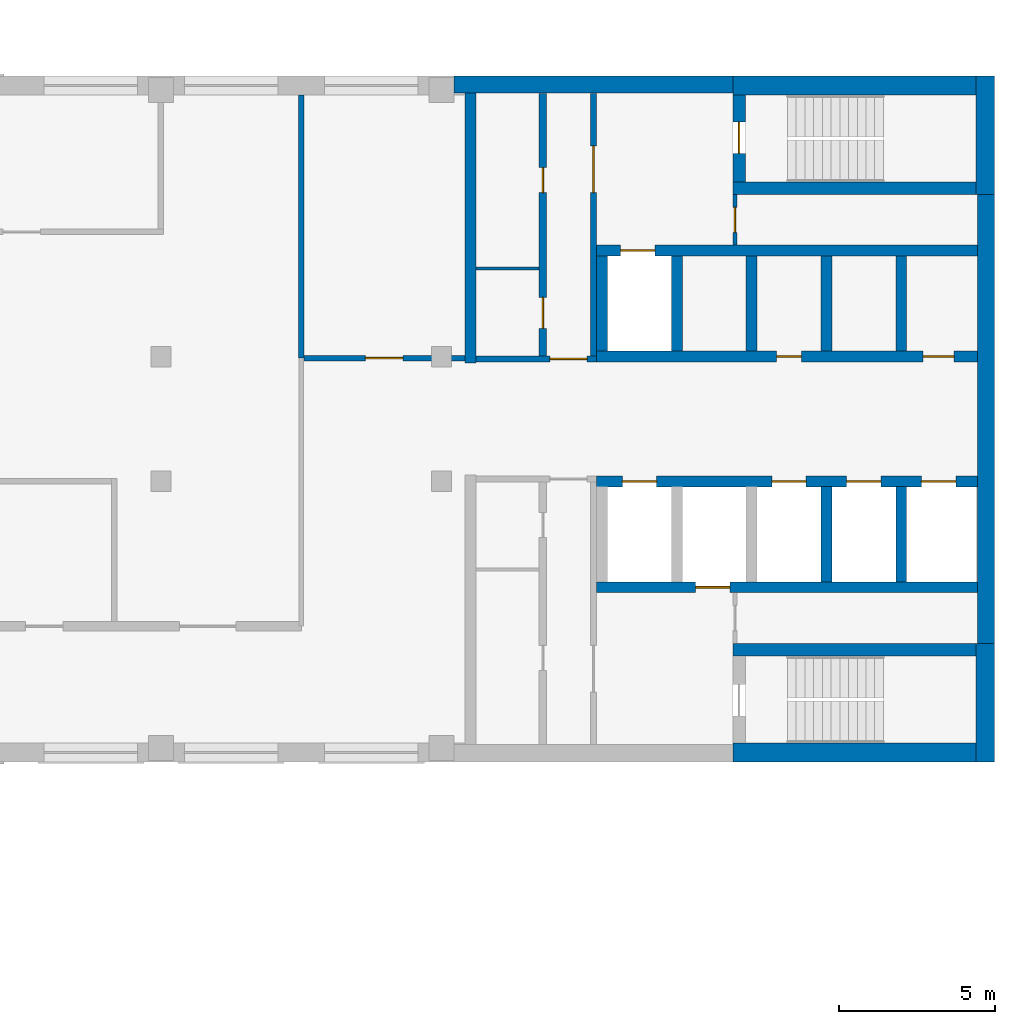
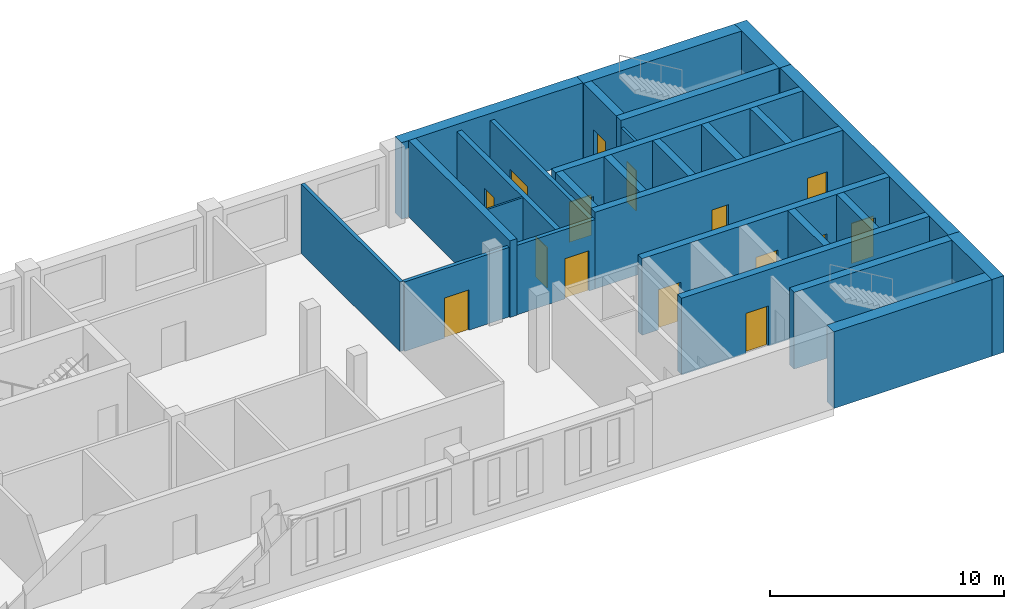
# One storey, part 6 of 10: 28 walls, 15 doors, 15 openings.
"""IFC4 building model written with IfcOpenShell, lengths in metres."""

from ifc_helpers import new_model, si_unit, direction, frame, frame_2d, origin, place, context, subcontext, project, spatial, rectangle, extrude, material, layer, layer_set, type_object, element, fill, save


model = new_model("IFC4")

# Units and contexts
model_context = context("Model", 3, precision=1e-05, world=origin(), true_north=direction((0.0, 1.0)))
body_context = subcontext(model_context, "Body", "Model", "MODEL_VIEW")
ifc_project = project(units=[si_unit("LENGTHUNIT", "METRE"), si_unit("AREAUNIT", "SQUARE_METRE"), si_unit("VOLUMEUNIT", "CUBIC_METRE"), si_unit("PLANEANGLEUNIT", "RADIAN"), si_unit("MASSUNIT", "GRAM", prefix="KILO")], contexts=[model_context])

# Site, building, storey
site_placement = place(None, origin())
site = spatial("IfcSite", under=ifc_project, at=site_placement, CompositionType="ELEMENT")
building_placement = place(site_placement, origin())
building = spatial("IfcBuilding", under=site, at=building_placement, Name="Skarvind Civic Tower", CompositionType="ELEMENT")
storey_placement = place(building_placement, frame((0.0, 0.0, 178.5)))
storey = spatial("IfcBuildingStorey", under=building, at=storey_placement, Name="L42", CompositionType="ELEMENT", Elevation=178.5)

# Wall
ifc_material_1 = material(Name="Acoustic gypsum board on steel studs", Category="steel")
ifc_layer_1 = layer(ifc_material_1, 0.175048828125)
ifc_layer_set_1 = layer_set([ifc_layer_1], Name="ACOUSTIC MEETING-ROOM PARTITION 175")
wall_type_1 = type_object("IfcWallType", Name="ACOUSTIC MEETING-ROOM PARTITION 175", PredefinedType="PARTITIONING", material=ifc_layer_set_1)
wall_1_placement = place(storey_placement, frame((85.75, 129.949951171875, 0.0), z_axis=(0.0, 0.0, 1.0), x_axis=(0.0, 1.0, 0.0)))
element("IfcWall", 1, at=wall_1_placement, inside=storey, type_object=wall_type_1, Name="Partition 42.048", PredefinedType="PARTITIONING", context=body_context, shape_type="SweptSolid", body=[
    extrude(rectangle(XDim=8.449951171875, YDim=0.175048828125, at=frame_2d((4.22509765625, 0.0))), origin(), (0.0, 0.0, 1.0), 3.625),
])

# Wall, opening, door
wall_2_placement = place(storey_placement, frame((85.837890625, 129.949951171875, 0.0), z_axis=(0.0, 0.0, 1.0), x_axis=(1.0, 0.0, 0.0)))
wall_2 = element("IfcWall", 2, at=wall_2_placement, inside=storey, type_object=wall_type_1, Name="Partition 42.049", PredefinedType="PARTITIONING", context=body_context, shape_type="SweptSolid", body=[
    extrude(rectangle(XDim=5.162109375, YDim=0.175048828125, at=frame_2d((2.5810546875, 0.0))), origin(), (0.0, 0.0, 1.0), 3.625),
])
opening_1_placement = place(wall_2_placement, frame((1.970947265625, 0.0, 0.0)))
opening_1 = element("IfcOpeningElement", 3, at=opening_1_placement, cuts=wall_2, Name="Opening L42-D001", PredefinedType="OPENING", context=body_context, shape_type="SweptSolid", body=[
    extrude(rectangle(XDim=1.199951171875, YDim=2.10009765625, at=frame_2d((0.60009765625, 1.050048828125))), frame((0.0, 0.097412109375, 0.0), z_axis=(0.0, -1.0, 0.0), x_axis=(1.0, 0.0, 0.0)), (0.0, 0.0, 1.0), 0.195068359375),
])
ifc_material_2 = material(Name="Timber door leaf", Category="wood")
door_type_1 = type_object("IfcDoorType", Name="DOOR 1200X2100 DOUBLE TIMBER", OperationType="NOTDEFINED", PredefinedType="DOOR", material=ifc_material_2)
door_1_placement = place(opening_1_placement, origin())
door_1 = element("IfcDoor", 4, at=door_1_placement, inside=storey, type_object=door_type_1, Name="Door L42-D001", OperationType="DOUBLE_DOOR_SINGLE_SWING", OverallHeight=2.10009765625, OverallWidth=1.199951171875, PredefinedType="DOOR", context=body_context, shape_type="SweptSolid", body=[
    extrude(rectangle(XDim=1.199951171875, YDim=2.10009765625, at=frame_2d((0.60009765625, 1.050048828125))), frame((0.0, 0.02490234375, 0.0), z_axis=(0.0, -1.0, 0.0), x_axis=(1.0, 0.0, 0.0)), (0.0, 0.0, 1.0), 0.050048828125),
])
fill(opening_1, door_1)

ifc_material_3 = material(Name="Fire-rated masonry partition", Category="masonry")
ifc_layer_2 = layer(ifc_material_3, 0.199951171875)
ifc_layer_set_2 = layer_set([ifc_layer_2], Name="Core enclosure wall 200")
wall_type_2 = type_object("IfcWallType", Name="Core enclosure wall 200", PredefinedType="PARTITIONING", material=ifc_layer_set_2)
wall_3_placement = place(storey_placement, frame((91.35009765625, 129.925048828125, 0.0), z_axis=(0.0, 0.0, 1.0), x_axis=(1.0, 0.0, 0.0)))
wall_3 = element("IfcWall", 5, at=wall_3_placement, inside=storey, type_object=wall_type_2, Name="Core wall C1", PredefinedType="PARTITIONING", context=body_context, shape_type="SweptSolid", body=[
    extrude(rectangle(XDim=3.875, YDim=0.199951171875, at=frame_2d((1.9375, 0.0))), origin(), (0.0, 0.0, 1.0), 3.625),
])
opening_2_placement = place(wall_3_placement, frame((2.375, 0.0, 0.0)))
opening_2 = element("IfcOpeningElement", 6, at=opening_2_placement, cuts=wall_3, Name="Opening D-L42-C1-13", PredefinedType="OPENING", context=body_context, shape_type="SweptSolid", body=[
    extrude(rectangle(XDim=1.199951171875, YDim=2.10009765625, at=frame_2d((0.60009765625, 1.050048828125))), frame((0.0, 0.10986328125, 0.0), z_axis=(0.0, -1.0, 0.0), x_axis=(1.0, 0.0, 0.0)), (0.0, 0.0, 1.0), 0.219970703125),
])
ifc_material_4 = material(Name="Fire-rated steel door", Category="steel")
door_type_2 = type_object("IfcDoorType", Name="Core lobby door 1200", OperationType="NOTDEFINED", PredefinedType="DOOR", material=ifc_material_4)
door_2_placement = place(opening_2_placement, origin())
door_2 = element("IfcDoor", 7, at=door_2_placement, inside=storey, type_object=door_type_2, Name="Fire door", OperationType="DOUBLE_DOOR_SINGLE_SWING", OverallHeight=2.10009765625, OverallWidth=1.199951171875, PredefinedType="DOOR", context=body_context, shape_type="SweptSolid", body=[
    extrude(rectangle(XDim=1.199951171875, YDim=2.10009765625, at=frame_2d((0.60009765625, 1.050048828125))), frame((0.0, 0.02490234375, 0.0), z_axis=(0.0, -1.0, 0.0), x_axis=(1.0, 0.0, 0.0)), (0.0, 0.0, 1.0), 0.050048828125),
])
fill(opening_2, door_2)

wall_4_placement = place(storey_placement, frame((95.125, 130.02490234375, 0.0), z_axis=(0.0, 0.0, 1.0), x_axis=(0.0, 1.0, 0.0)))
wall_4 = element("IfcWall", 8, at=wall_4_placement, inside=storey, type_object=wall_type_2, Name="Core wall C1", PredefinedType="PARTITIONING", context=body_context, shape_type="SweptSolid", body=[
    extrude(rectangle(XDim=8.425048828125, YDim=0.199951171875, at=frame_2d((4.21240234375, 0.0))), origin(), (0.0, 0.0, 1.0), 3.625),
])
opening_3_placement = place(wall_4_placement, frame((5.237548828125, 0.0, 0.0)))
opening_3 = element("IfcOpeningElement", 9, at=opening_3_placement, cuts=wall_4, Name="Opening D-L42-C1-14", PredefinedType="OPENING", context=body_context, shape_type="SweptSolid", body=[
    extrude(rectangle(XDim=1.5, YDim=2.10009765625, at=frame_2d((0.75, 1.050048828125))), frame((0.0, 0.10986328125, 0.0), z_axis=(0.0, -1.0, 0.0), x_axis=(1.0, 0.0, 0.0)), (0.0, 0.0, 1.0), 0.219970703125),
])
door_type_3 = type_object("IfcDoorType", Name="Fire door 1500", OperationType="NOTDEFINED", PredefinedType="DOOR", material=ifc_material_4)
door_3_placement = place(opening_3_placement, origin())
door_3 = element("IfcDoor", 10, at=door_3_placement, inside=storey, type_object=door_type_3, Name="Fire door", OperationType="DOUBLE_DOOR_SINGLE_SWING", OverallHeight=2.10009765625, OverallWidth=1.5, PredefinedType="DOOR", context=body_context, shape_type="SweptSolid", body=[
    extrude(rectangle(XDim=1.5, YDim=2.10009765625, at=frame_2d((0.75, 1.050048828125))), frame((0.0, 0.02490234375, 0.0), z_axis=(0.0, -1.0, 0.0), x_axis=(1.0, 0.0, 0.0)), (0.0, 0.0, 1.0), 0.050048828125),
])
fill(opening_3, door_3)

# Wall
ifc_material_5 = material(Name="Fire-rated plasterboard partition")
ifc_layer_3 = layer(ifc_material_5, 0.10009765625)
ifc_layer_set_3 = layer_set([ifc_layer_3], Name="Core partition wall 100")
wall_type_3 = type_object("IfcWallType", Name="Core partition wall 100", PredefinedType="PARTITIONING", material=ifc_layer_set_3)
wall_5_placement = place(storey_placement, frame((91.35009765625, 132.830078125, 0.0), z_axis=(0.0, 0.0, 1.0), x_axis=(1.0, 0.0, 0.0)))
element("IfcWall", 11, at=wall_5_placement, inside=storey, type_object=wall_type_3, Name="Core wall C1", PredefinedType="PARTITIONING", context=body_context, shape_type="SweptSolid", body=[
    extrude(rectangle(XDim=2.02490234375, YDim=0.10009765625, at=frame_2d((1.012451171875, 0.0))), origin(), (0.0, 0.0, 1.0), 3.625),
])

# Wall, openings, doors
ifc_material_6 = material(Name="Concrete C60", Category="concrete")
ifc_layer_4 = layer(ifc_material_6, 0.35009765625)
ifc_layer_set_4 = layer_set([ifc_layer_4], Name="Core wall 350 C60")
wall_type_4 = type_object("IfcWallType", Name="Core wall 350 C60", PredefinedType="SHEAR", material=ifc_layer_set_4)
wall_6_placement = place(storey_placement, frame((107.449951171875, 130.0, 0.0), z_axis=(0.0, 0.0, 1.0), x_axis=(-1.0, 0.0, 0.0)))
wall_6 = element("IfcWall", 12, at=wall_6_placement, inside=storey, type_object=wall_type_4, Name="Core wall C1 south lift row front L42", PredefinedType="SHEAR", context=body_context, shape_type="SweptSolid", body=[
    extrude(rectangle(XDim=12.224853515625, YDim=0.35009765625, at=frame_2d((6.1123046875, 0.0))), origin(), (0.0, 0.0, 1.0), 4.0),
])
opening_4_placement = place(wall_6_placement, frame((0.75, 0.0, 0.0)))
opening_4 = element("IfcOpeningElement", 13, at=opening_4_placement, cuts=wall_6, Name="Opening D-L42-C1-05", PredefinedType="OPENING", context=body_context, shape_type="SweptSolid", body=[
    extrude(rectangle(XDim=1.0, YDim=2.10009765625, at=frame_2d((0.5, 1.050048828125))), frame((0.0, 0.18505859375, 0.0), z_axis=(0.0, -1.0, 0.0), x_axis=(1.0, 0.0, 0.0)), (0.0, 0.0, 1.0), 0.3701171875),
])
opening_5_placement = place(wall_6_placement, frame((5.64990234375, 0.0, 0.0)))
opening_5 = element("IfcOpeningElement", 14, at=opening_5_placement, cuts=wall_6, Name="Opening D-L42-C1-06", PredefinedType="OPENING", context=body_context, shape_type="SweptSolid", body=[
    extrude(rectangle(XDim=0.800048828125, YDim=2.10009765625, at=frame_2d((0.39990234375, 1.050048828125))), frame((0.0, 0.18505859375, 0.0), z_axis=(0.0, -1.0, 0.0), x_axis=(1.0, 0.0, 0.0)), (0.0, 0.0, 1.0), 0.3701171875),
])
door_type_4 = type_object("IfcDoorType", Name="Core riser door 800", OperationType="NOTDEFINED", PredefinedType="DOOR", material=ifc_material_4)
door_4_placement = place(opening_5_placement, origin())
door_4 = element("IfcDoor", 15, at=door_4_placement, inside=storey, type_object=door_type_4, Name="Riser door", OperationType="SINGLE_SWING_RIGHT", OverallHeight=2.10009765625, OverallWidth=0.800048828125, PredefinedType="DOOR", context=body_context, shape_type="SweptSolid", body=[
    extrude(rectangle(XDim=0.800048828125, YDim=2.10009765625, at=frame_2d((0.39990234375, 1.050048828125))), frame((0.0, 0.02490234375, 0.0), z_axis=(0.0, -1.0, 0.0), x_axis=(1.0, 0.0, 0.0)), (0.0, 0.0, 1.0), 0.050048828125),
])
fill(opening_5, door_4)
door_type_5 = type_object("IfcDoorType", Name="Fire door 1000", OperationType="NOTDEFINED", PredefinedType="DOOR", material=ifc_material_4)
door_5_placement = place(opening_4_placement, origin())
door_5 = element("IfcDoor", 16, at=door_5_placement, inside=storey, type_object=door_type_5, Name="Fire door", OperationType="SINGLE_SWING_LEFT", OverallHeight=2.10009765625, OverallWidth=1.0, PredefinedType="DOOR", context=body_context, shape_type="SweptSolid", body=[
    extrude(rectangle(XDim=1.0, YDim=2.10009765625, at=frame_2d((0.5, 1.050048828125))), frame((0.0, 0.02490234375, 0.0), z_axis=(0.0, -1.0, 0.0), x_axis=(1.0, 0.0, 0.0)), (0.0, 0.0, 1.0), 0.050048828125),
])
fill(opening_4, door_5)

# Wall, opening, door
wall_7_placement = place(storey_placement, frame((107.449951171875, 133.39990234375, 0.0), z_axis=(0.0, 0.0, 1.0), x_axis=(-1.0, 0.0, 0.0)))
wall_7 = element("IfcWall", 17, at=wall_7_placement, inside=storey, type_object=wall_type_4, Name="Core wall C1 south lift row back L42", PredefinedType="SHEAR", context=body_context, shape_type="SweptSolid", body=[
    extrude(rectangle(XDim=12.224853515625, YDim=0.35009765625, at=frame_2d((6.1123046875, 0.0))), origin(), (0.0, 0.0, 1.0), 4.0),
])
opening_6_placement = place(wall_7_placement, frame((10.35009765625, 0.0, 0.0)))
opening_6 = element("IfcOpeningElement", 18, at=opening_6_placement, cuts=wall_7, Name="Opening LD44110", PredefinedType="OPENING", context=body_context, shape_type="SweptSolid", body=[
    extrude(rectangle(XDim=1.10009765625, YDim=2.10009765625, at=frame_2d((0.550048828125, 1.050048828125))), frame((0.0, 0.18505859375, 0.0), z_axis=(0.0, -1.0, 0.0), x_axis=(1.0, 0.0, 0.0)), (0.0, 0.0, 1.0), 0.3701171875),
])
ifc_material_7 = material(Name="Stainless steel landing door", Category="steel")
door_type_6 = type_object("IfcDoorType", Name="Lift landing door 1100", OperationType="DOUBLE_DOOR_SLIDING", PredefinedType="DOOR", material=ifc_material_7)
door_6_placement = place(opening_6_placement, origin())
door_6 = element("IfcDoor", 19, at=door_6_placement, inside=storey, type_object=door_type_6, Name="Lift landing door", OperationType="DOUBLE_DOOR_SLIDING", OverallHeight=2.10009765625, OverallWidth=1.10009765625, PredefinedType="DOOR", context=body_context, shape_type="SweptSolid", body=[
    extrude(rectangle(XDim=1.10009765625, YDim=2.10009765625, at=frame_2d((0.550048828125, 1.050048828125))), frame((0.0, 0.02490234375, 0.0), z_axis=(0.0, -1.0, 0.0), x_axis=(1.0, 0.0, 0.0)), (0.0, 0.0, 1.0), 0.050048828125),
])
fill(opening_6, door_6)

# Walls
for number, where, z_axis, x_axis, name in (
    (20, (105.0, 133.22509765625, 0.0), (0.0, 0.0, 1.0), (0.0, -1.0, 0.0), "Core wall C1 south lift row division 1 L42"),
    (21, (102.60009765625, 133.22509765625, 0.0), (0.0, 0.0, 1.0), (0.0, -1.0, 0.0), "Core wall C1 south lift row division 2 L42"),
    (22, (100.199951171875, 133.22509765625, 0.0), (0.0, 0.0, 1.0), (0.0, -1.0, 0.0), "Core wall C1 south lift row division 3 L42"),
    (23, (97.800048828125, 133.22509765625, 0.0), (0.0, 0.0, 1.0), (0.0, -1.0, 0.0), "Core wall C1 south lift row division 4 L42"),
    (24, (95.39990234375, 133.22509765625, 0.0), (0.0, 0.0, 1.0), (0.0, -1.0, 0.0), "Core wall C1 south lift row division 5 L42"),
):
    element("IfcWall", number, at=place(storey_placement, frame(where, z_axis=z_axis, x_axis=x_axis)), inside=storey, type_object=wall_type_4, Name=name, PredefinedType="SHEAR", context=body_context, shape_type="SweptSolid", body=[
        extrude(rectangle(XDim=3.050048828125, YDim=0.35009765625, at=frame_2d((1.52490234375, 0.0))), origin(), (0.0, 0.0, 1.0), 4.0),
    ])

# Wall, openings, doors
wall_8_placement = place(storey_placement, frame((107.449951171875, 126.0, 0.0), z_axis=(0.0, 0.0, 1.0), x_axis=(-1.0, 0.0, 0.0)))
wall_8 = element("IfcWall", 25, at=wall_8_placement, inside=storey, type_object=wall_type_4, Name="Core wall C1 north lift row front L42", PredefinedType="SHEAR", context=body_context, shape_type="SweptSolid", body=[
    extrude(rectangle(XDim=12.224853515625, YDim=0.35009765625, at=frame_2d((6.1123046875, 0.0))), origin(), (0.0, 0.0, 1.0), 4.0),
])
opening_7_placement = place(wall_8_placement, frame((0.699951171875, 0.0, 0.0)))
opening_7 = element("IfcOpeningElement", 26, at=opening_7_placement, cuts=wall_8, Name="Opening LD44101", PredefinedType="OPENING", context=body_context, shape_type="SweptSolid", body=[
    extrude(rectangle(XDim=1.10009765625, YDim=2.10009765625, at=frame_2d((0.550048828125, 1.050048828125))), frame((0.0, 0.18505859375, 0.0), z_axis=(0.0, -1.0, 0.0), x_axis=(1.0, 0.0, 0.0)), (0.0, 0.0, 1.0), 0.3701171875),
])
opening_8_placement = place(wall_8_placement, frame((3.10009765625, 0.0, 0.0)))
opening_8 = element("IfcOpeningElement", 27, at=opening_8_placement, cuts=wall_8, Name="Opening LD44102", PredefinedType="OPENING", context=body_context, shape_type="SweptSolid", body=[
    extrude(rectangle(XDim=1.10009765625, YDim=2.10009765625, at=frame_2d((0.550048828125, 1.050048828125))), frame((0.0, 0.18505859375, 0.0), z_axis=(0.0, -1.0, 0.0), x_axis=(1.0, 0.0, 0.0)), (0.0, 0.0, 1.0), 0.3701171875),
])
opening_9_placement = place(wall_8_placement, frame((5.5, 0.0, 0.0)))
opening_9 = element("IfcOpeningElement", 28, at=opening_9_placement, cuts=wall_8, Name="Opening LD44103", PredefinedType="OPENING", context=body_context, shape_type="SweptSolid", body=[
    extrude(rectangle(XDim=1.10009765625, YDim=2.10009765625, at=frame_2d((0.550048828125, 1.050048828125))), frame((0.0, 0.18505859375, 0.0), z_axis=(0.0, -1.0, 0.0), x_axis=(1.0, 0.0, 0.0)), (0.0, 0.0, 1.0), 0.3701171875),
])
opening_10_placement = place(wall_8_placement, frame((10.300048828125, 0.0, 0.0)))
opening_10 = element("IfcOpeningElement", 29, at=opening_10_placement, cuts=wall_8, Name="Opening LD44105", PredefinedType="OPENING", context=body_context, shape_type="SweptSolid", body=[
    extrude(rectangle(XDim=1.10009765625, YDim=2.10009765625, at=frame_2d((0.550048828125, 1.050048828125))), frame((0.0, 0.18505859375, 0.0), z_axis=(0.0, -1.0, 0.0), x_axis=(1.0, 0.0, 0.0)), (0.0, 0.0, 1.0), 0.3701171875),
])
door_7_placement = place(opening_7_placement, origin())
door_7 = element("IfcDoor", 30, at=door_7_placement, inside=storey, type_object=door_type_6, Name="Lift landing door", OperationType="DOUBLE_DOOR_SLIDING", OverallHeight=2.10009765625, OverallWidth=1.10009765625, PredefinedType="DOOR", context=body_context, shape_type="SweptSolid", body=[
    extrude(rectangle(XDim=1.10009765625, YDim=2.10009765625, at=frame_2d((0.550048828125, 1.050048828125))), frame((0.0, 0.02490234375, 0.0), z_axis=(0.0, -1.0, 0.0), x_axis=(1.0, 0.0, 0.0)), (0.0, 0.0, 1.0), 0.050048828125),
])
fill(opening_7, door_7)
door_8_placement = place(opening_8_placement, origin())
door_8 = element("IfcDoor", 31, at=door_8_placement, inside=storey, type_object=door_type_6, Name="Lift landing door", OperationType="DOUBLE_DOOR_SLIDING", OverallHeight=2.10009765625, OverallWidth=1.10009765625, PredefinedType="DOOR", context=body_context, shape_type="SweptSolid", body=[
    extrude(rectangle(XDim=1.10009765625, YDim=2.10009765625, at=frame_2d((0.550048828125, 1.050048828125))), frame((0.0, 0.02490234375, 0.0), z_axis=(0.0, -1.0, 0.0), x_axis=(1.0, 0.0, 0.0)), (0.0, 0.0, 1.0), 0.050048828125),
])
fill(opening_8, door_8)
door_9_placement = place(opening_9_placement, origin())
door_9 = element("IfcDoor", 32, at=door_9_placement, inside=storey, type_object=door_type_6, Name="Lift landing door", OperationType="DOUBLE_DOOR_SLIDING", OverallHeight=2.10009765625, OverallWidth=1.10009765625, PredefinedType="DOOR", context=body_context, shape_type="SweptSolid", body=[
    extrude(rectangle(XDim=1.10009765625, YDim=2.10009765625, at=frame_2d((0.550048828125, 1.050048828125))), frame((0.0, 0.02490234375, 0.0), z_axis=(0.0, -1.0, 0.0), x_axis=(1.0, 0.0, 0.0)), (0.0, 0.0, 1.0), 0.050048828125),
])
fill(opening_9, door_9)
door_10_placement = place(opening_10_placement, origin())
door_10 = element("IfcDoor", 33, at=door_10_placement, inside=storey, type_object=door_type_6, Name="Lift landing door", OperationType="DOUBLE_DOOR_SLIDING", OverallHeight=2.10009765625, OverallWidth=1.10009765625, PredefinedType="DOOR", context=body_context, shape_type="SweptSolid", body=[
    extrude(rectangle(XDim=1.10009765625, YDim=2.10009765625, at=frame_2d((0.550048828125, 1.050048828125))), frame((0.0, 0.02490234375, 0.0), z_axis=(0.0, -1.0, 0.0), x_axis=(1.0, 0.0, 0.0)), (0.0, 0.0, 1.0), 0.050048828125),
])
fill(opening_10, door_10)

# Wall, opening, door
wall_9_placement = place(storey_placement, frame((107.449951171875, 122.60009765625, 0.0), z_axis=(0.0, 0.0, 1.0), x_axis=(-1.0, 0.0, 0.0)))
wall_9 = element("IfcWall", 34, at=wall_9_placement, inside=storey, type_object=wall_type_4, Name="Core wall C1 north lift row back L42", PredefinedType="SHEAR", context=body_context, shape_type="SweptSolid", body=[
    extrude(rectangle(XDim=12.224853515625, YDim=0.35009765625, at=frame_2d((6.1123046875, 0.0))), origin(), (0.0, 0.0, 1.0), 4.0),
])
opening_11_placement = place(wall_9_placement, frame((7.949951171875, 0.0, 0.0)))
opening_11 = element("IfcOpeningElement", 35, at=opening_11_placement, cuts=wall_9, Name="Opening LD44104", PredefinedType="OPENING", context=body_context, shape_type="SweptSolid", body=[
    extrude(rectangle(XDim=1.10009765625, YDim=2.10009765625, at=frame_2d((0.550048828125, 1.050048828125))), frame((0.0, 0.18505859375, 0.0), z_axis=(0.0, -1.0, 0.0), x_axis=(1.0, 0.0, 0.0)), (0.0, 0.0, 1.0), 0.3701171875),
])
door_11_placement = place(opening_11_placement, origin())
door_11 = element("IfcDoor", 36, at=door_11_placement, inside=storey, type_object=door_type_6, Name="Lift landing door", OperationType="DOUBLE_DOOR_SLIDING", OverallHeight=2.10009765625, OverallWidth=1.10009765625, PredefinedType="DOOR", context=body_context, shape_type="SweptSolid", body=[
    extrude(rectangle(XDim=1.10009765625, YDim=2.10009765625, at=frame_2d((0.550048828125, 1.050048828125))), frame((0.0, 0.02490234375, 0.0), z_axis=(0.0, -1.0, 0.0), x_axis=(1.0, 0.0, 0.0)), (0.0, 0.0, 1.0), 0.050048828125),
])
fill(opening_11, door_11)

# Walls
for number, where, z_axis, x_axis, name in (
    (37, (105.0, 125.824951171875, 0.0), (0.0, 0.0, 1.0), (0.0, -1.0, 0.0), "Core wall C1 north lift row division 1 L42"),
    (38, (102.60009765625, 125.824951171875, 0.0), (0.0, 0.0, 1.0), (0.0, -1.0, 0.0), "Core wall C1 north lift row division 2 L42"),
):
    element("IfcWall", number, at=place(storey_placement, frame(where, z_axis=z_axis, x_axis=x_axis)), inside=storey, type_object=wall_type_4, Name=name, PredefinedType="SHEAR", context=body_context, shape_type="SweptSolid", body=[
        extrude(rectangle(XDim=3.050048828125, YDim=0.35009765625, at=frame_2d((1.52490234375, 0.0))), origin(), (0.0, 0.0, 1.0), 4.0),
    ])
wall_10_placement = place(storey_placement, frame((91.175048828125, 138.449951171875, 0.0), z_axis=(0.0, 0.0, 1.0), x_axis=(0.0, -1.0, 0.0)))
element("IfcWall", 39, at=wall_10_placement, inside=storey, type_object=wall_type_4, Name="Core wall C1 south inner face L42", PredefinedType="SHEAR", context=body_context, shape_type="SweptSolid", body=[
    extrude(rectangle(XDim=8.64990234375, YDim=0.35009765625, at=frame_2d((4.324951171875, 0.0))), origin(), (0.0, 0.0, 1.0), 4.0),
])
ifc_layer_5 = layer(ifc_material_6, 0.39990234375)
ifc_layer_set_5 = layer_set([ifc_layer_5], Name="Core wall 400 C60")
wall_type_5 = type_object("IfcWallType", Name="Core wall 400 C60", PredefinedType="SHEAR", material=ifc_layer_set_5)
wall_11_placement = place(storey_placement, frame((107.39990234375, 135.39990234375, 0.0), z_axis=(0.0, 0.0, 1.0), x_axis=(-1.0, 0.0, 0.0)))
element("IfcWall", 40, at=wall_11_placement, inside=storey, type_object=wall_type_5, Name="Core wall C1 south stair inner L42", PredefinedType="SHEAR", context=body_context, shape_type="SweptSolid", body=[
    extrude(rectangle(XDim=7.7998046875, YDim=0.39990234375, at=frame_2d((3.89990234375, 0.0))), origin(), (0.0, 0.0, 1.0), 4.0),
])

# Wall, opening, door
wall_12_placement = place(storey_placement, frame((99.800048828125, 138.39990234375, 0.0), z_axis=(0.0, 0.0, 1.0), x_axis=(0.0, -1.0, 0.0)))
wall_12 = element("IfcWall", 41, at=wall_12_placement, inside=storey, type_object=wall_type_5, Name="Core wall C1 south stair end L42", PredefinedType="SHEAR", context=body_context, shape_type="SweptSolid", body=[
    extrude(rectangle(XDim=2.7998046875, YDim=0.39990234375, at=frame_2d((1.39990234375, 0.0))), origin(), (0.0, 0.0, 1.0), 4.0),
])
opening_12_placement = place(wall_12_placement, frame((0.875, 0.0, 0.0)))
opening_12 = element("IfcOpeningElement", 42, at=opening_12_placement, cuts=wall_12, Name="Opening D-L42-C1-15", PredefinedType="OPENING", context=body_context, shape_type="SweptSolid", body=[
    extrude(rectangle(XDim=1.0, YDim=2.10009765625, at=frame_2d((0.5, 1.050048828125))), frame((0.0, 0.2099609375, 0.0), z_axis=(0.0, -1.0, 0.0), x_axis=(1.0, 0.0, 0.0)), (0.0, 0.0, 1.0), 0.419921875),
])
door_12_placement = place(opening_12_placement, origin())
door_12 = element("IfcDoor", 43, at=door_12_placement, inside=storey, type_object=door_type_5, Name="Fire door", OperationType="SINGLE_SWING_RIGHT", OverallHeight=2.10009765625, OverallWidth=1.0, PredefinedType="DOOR", context=body_context, shape_type="SweptSolid", body=[
    extrude(rectangle(XDim=1.0, YDim=2.10009765625, at=frame_2d((0.5, 1.050048828125))), frame((0.0, 0.02490234375, 0.0), z_axis=(0.0, -1.0, 0.0), x_axis=(1.0, 0.0, 0.0)), (0.0, 0.0, 1.0), 0.050048828125),
])
fill(opening_12, door_12)

# Walls
wall_13_placement = place(storey_placement, frame((107.39990234375, 120.60009765625, 0.0), z_axis=(0.0, 0.0, 1.0), x_axis=(-1.0, 0.0, 0.0)))
element("IfcWall", 44, at=wall_13_placement, inside=storey, type_object=wall_type_5, Name="Core wall C1 north stair inner L42", PredefinedType="SHEAR", context=body_context, shape_type="SweptSolid", body=[
    extrude(rectangle(XDim=7.7998046875, YDim=0.39990234375, at=frame_2d((3.89990234375, 0.0))), origin(), (0.0, 0.0, 1.0), 4.0),
])
ifc_layer_6 = layer(ifc_material_6, 0.550048828125)
ifc_layer_set_6 = layer_set([ifc_layer_6], Name="Core wall 550 C60")
wall_type_6 = type_object("IfcWallType", Name="Core wall 550 C60", PredefinedType="SHEAR", material=ifc_layer_set_6)
wall_14_placement = place(storey_placement, frame((107.72509765625, 135.199951171875, 0.0), z_axis=(0.0, 0.0, 1.0), x_axis=(0.0, -1.0, 0.0)))
element("IfcWall", 45, at=wall_14_placement, inside=storey, type_object=wall_type_6, Name="Core wall C1 tip between the stairs L42", PredefinedType="SHEAR", context=body_context, shape_type="SweptSolid", body=[
    extrude(rectangle(XDim=14.39990234375, YDim=0.550048828125, at=frame_2d((7.199951171875, 0.0))), origin(), (0.0, 0.0, 1.0), 4.0),
])
wall_15_placement = place(storey_placement, frame((99.60009765625, 138.72509765625, 0.0), z_axis=(0.0, 0.0, 1.0), x_axis=(-1.0, 0.0, 0.0)))
element("IfcWall", 46, at=wall_15_placement, inside=storey, type_object=wall_type_6, Name="Core wall C1 south side L42", PredefinedType="SHEAR", context=body_context, shape_type="SweptSolid", body=[
    extrude(rectangle(XDim=8.9501953125, YDim=0.550048828125, at=frame_2d((4.47509765625, 0.0))), origin(), (0.0, 0.0, 1.0), 4.0),
])
ifc_layer_7 = layer(ifc_material_6, 0.60009765625)
ifc_layer_set_7 = layer_set([ifc_layer_7], Name="Core wall 600 C60")
wall_type_7 = type_object("IfcWallType", Name="Core wall 600 C60", PredefinedType="SHEAR", material=ifc_layer_set_7)
for number, where, z_axis, x_axis, name in (
    (47, (107.699951171875, 139.0, 0.0), (0.0, 0.0, 1.0), (0.0, -1.0, 0.0), "Core wall C1 tip at the south stair L42"),
    (48, (107.699951171875, 120.800048828125, 0.0), (0.0, 0.0, 1.0), (0.0, -1.0, 0.0), "Core wall C1 tip at the north stair L42"),
):
    element("IfcWall", number, at=place(storey_placement, frame(where, z_axis=z_axis, x_axis=x_axis)), inside=storey, type_object=wall_type_7, Name=name, PredefinedType="SHEAR", context=body_context, shape_type="SweptSolid", body=[
        extrude(rectangle(XDim=3.800048828125, YDim=0.60009765625, at=frame_2d((1.89990234375, 0.0))), origin(), (0.0, 0.0, 1.0), 4.0),
    ])
for number, where, z_axis, x_axis, name in (
    (49, (107.39990234375, 138.699951171875, 0.0), (0.0, 0.0, 1.0), (-1.0, 0.0, 0.0), "Core wall C1 south side at the stair L42"),
    (50, (107.39990234375, 117.300048828125, 0.0), (0.0, 0.0, 1.0), (-1.0, 0.0, 0.0), "Core wall C1 north side at the stair L42"),
):
    element("IfcWall", number, at=place(storey_placement, frame(where, z_axis=z_axis, x_axis=x_axis)), inside=storey, type_object=wall_type_7, Name=name, PredefinedType="SHEAR", context=body_context, shape_type="SweptSolid", body=[
        extrude(rectangle(XDim=7.7998046875, YDim=0.60009765625, at=frame_2d((3.89990234375, 0.0))), origin(), (0.0, 0.0, 1.0), 4.0),
    ])

# Wall, opening, door
ifc_layer_8 = layer(ifc_material_3, 0.125)
ifc_layer_set_8 = layer_set([ifc_layer_8], Name="Riser wall 125")
wall_type_8 = type_object("IfcWallType", Name="Riser wall 125", PredefinedType="PARTITIONING", material=ifc_layer_set_8)
wall_16_placement = place(storey_placement, frame((99.66259765625, 133.574951171875, 0.0), z_axis=(0.0, 0.0, 1.0), x_axis=(0.0, 1.0, 0.0)))
wall_16 = element("IfcWall", 51, at=wall_16_placement, inside=storey, type_object=wall_type_8, Name="Core wall C1", PredefinedType="PARTITIONING", context=body_context, shape_type="SweptSolid", body=[
    extrude(rectangle(XDim=1.625, YDim=0.125, at=frame_2d((0.8125, 0.0))), origin(), (0.0, 0.0, 1.0), 3.625),
])
opening_13_placement = place(wall_16_placement, frame((0.41259765625, 0.0, 0.0)))
opening_13 = element("IfcOpeningElement", 52, at=opening_13_placement, cuts=wall_16, Name="Opening D-L42-C1-16", PredefinedType="OPENING", context=body_context, shape_type="SweptSolid", body=[
    extrude(rectangle(XDim=0.800048828125, YDim=2.10009765625, at=frame_2d((0.39990234375, 1.050048828125))), frame((0.0, 0.072509765625, 0.0), z_axis=(0.0, -1.0, 0.0), x_axis=(1.0, 0.0, 0.0)), (0.0, 0.0, 1.0), 0.14501953125),
])
door_13_placement = place(opening_13_placement, origin())
door_13 = element("IfcDoor", 53, at=door_13_placement, inside=storey, type_object=door_type_4, Name="Riser door", OperationType="SINGLE_SWING_LEFT", OverallHeight=2.10009765625, OverallWidth=0.800048828125, PredefinedType="DOOR", context=body_context, shape_type="SweptSolid", body=[
    extrude(rectangle(XDim=0.800048828125, YDim=2.10009765625, at=frame_2d((0.39990234375, 1.050048828125))), frame((0.0, 0.02490234375, 0.0), z_axis=(0.0, -1.0, 0.0), x_axis=(1.0, 0.0, 0.0)), (0.0, 0.0, 1.0), 0.050048828125),
])
fill(opening_13, door_13)

# Wall, openings, doors
ifc_layer_9 = layer(ifc_material_3, 0.25)
ifc_layer_set_9 = layer_set([ifc_layer_9], Name="Service block wall 250")
wall_type_9 = type_object("IfcWallType", Name="Service block wall 250", PredefinedType="PARTITIONING", material=ifc_layer_set_9)
wall_17_placement = place(storey_placement, frame((93.5, 130.02490234375, 0.0), z_axis=(0.0, 0.0, 1.0), x_axis=(0.0, 1.0, 0.0)))
wall_17 = element("IfcWall", 54, at=wall_17_placement, inside=storey, type_object=wall_type_9, Name="Core wall C1", PredefinedType="PARTITIONING", context=body_context, shape_type="SweptSolid", body=[
    extrude(rectangle(XDim=8.425048828125, YDim=0.25, at=frame_2d((4.21240234375, 0.0))), origin(), (0.0, 0.0, 1.0), 3.625),
])
opening_14_placement = place(wall_17_placement, frame((0.87744140625, 0.0, 0.0)))
opening_14 = element("IfcOpeningElement", 55, at=opening_14_placement, cuts=wall_17, Name="Opening D-L42-C1-17", PredefinedType="OPENING", context=body_context, shape_type="SweptSolid", body=[
    extrude(rectangle(XDim=1.0, YDim=2.10009765625, at=frame_2d((0.5, 1.050048828125))), frame((0.0, 0.135009765625, 0.0), z_axis=(0.0, -1.0, 0.0), x_axis=(1.0, 0.0, 0.0)), (0.0, 0.0, 1.0), 0.27001953125),
])
opening_15_placement = place(wall_17_placement, frame((5.239990234375, 0.0, 0.0)))
opening_15 = element("IfcOpeningElement", 56, at=opening_15_placement, cuts=wall_17, Name="Opening D-L42-C1-18", PredefinedType="OPENING", context=body_context, shape_type="SweptSolid", body=[
    extrude(rectangle(XDim=0.800048828125, YDim=2.10009765625, at=frame_2d((0.39990234375, 1.050048828125))), frame((0.0, 0.135009765625, 0.0), z_axis=(0.0, -1.0, 0.0), x_axis=(1.0, 0.0, 0.0)), (0.0, 0.0, 1.0), 0.27001953125),
])
door_14_placement = place(opening_15_placement, origin())
door_14 = element("IfcDoor", 57, at=door_14_placement, inside=storey, type_object=door_type_4, Name="Riser door", OperationType="SINGLE_SWING_LEFT", OverallHeight=2.10009765625, OverallWidth=0.800048828125, PredefinedType="DOOR", context=body_context, shape_type="SweptSolid", body=[
    extrude(rectangle(XDim=0.800048828125, YDim=2.10009765625, at=frame_2d((0.39990234375, 1.050048828125))), frame((0.0, 0.02490234375, 0.0), z_axis=(0.0, -1.0, 0.0), x_axis=(1.0, 0.0, 0.0)), (0.0, 0.0, 1.0), 0.050048828125),
])
fill(opening_15, door_14)
door_15_placement = place(opening_14_placement, origin())
door_15 = element("IfcDoor", 58, at=door_15_placement, inside=storey, type_object=door_type_5, Name="Fire door", OperationType="SINGLE_SWING_RIGHT", OverallHeight=2.10009765625, OverallWidth=1.0, PredefinedType="DOOR", context=body_context, shape_type="SweptSolid", body=[
    extrude(rectangle(XDim=1.0, YDim=2.10009765625, at=frame_2d((0.5, 1.050048828125))), frame((0.0, 0.02490234375, 0.0), z_axis=(0.0, -1.0, 0.0), x_axis=(1.0, 0.0, 0.0)), (0.0, 0.0, 1.0), 0.050048828125),
])
fill(opening_14, door_15)

save(model, "model.ifc")
